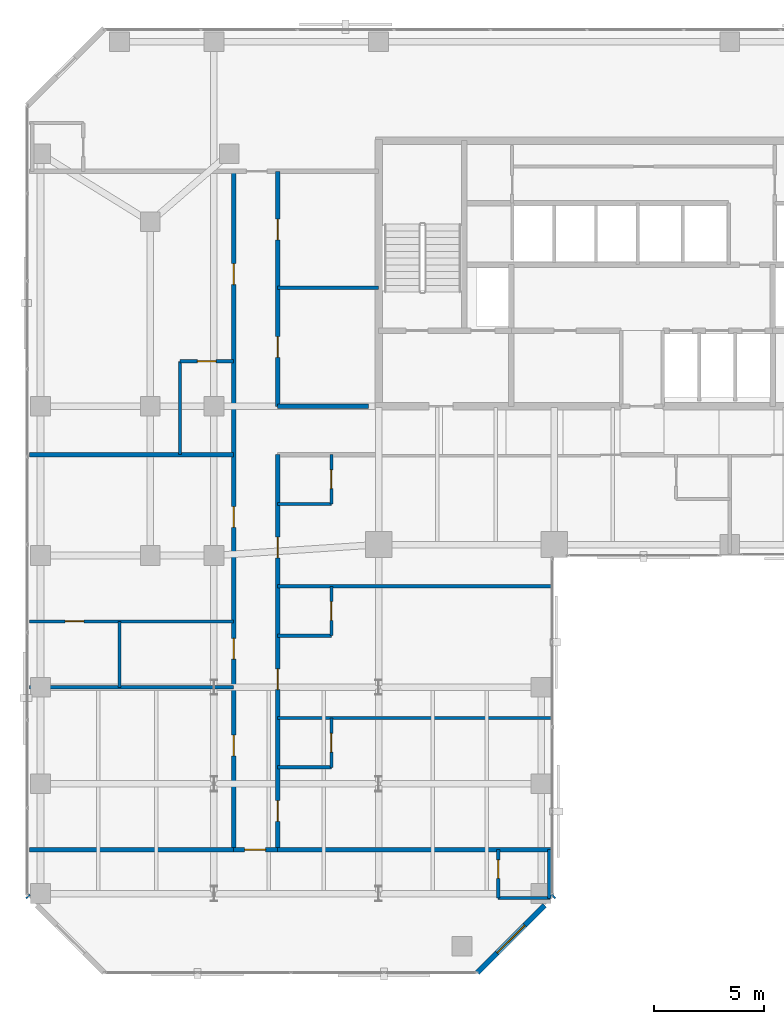
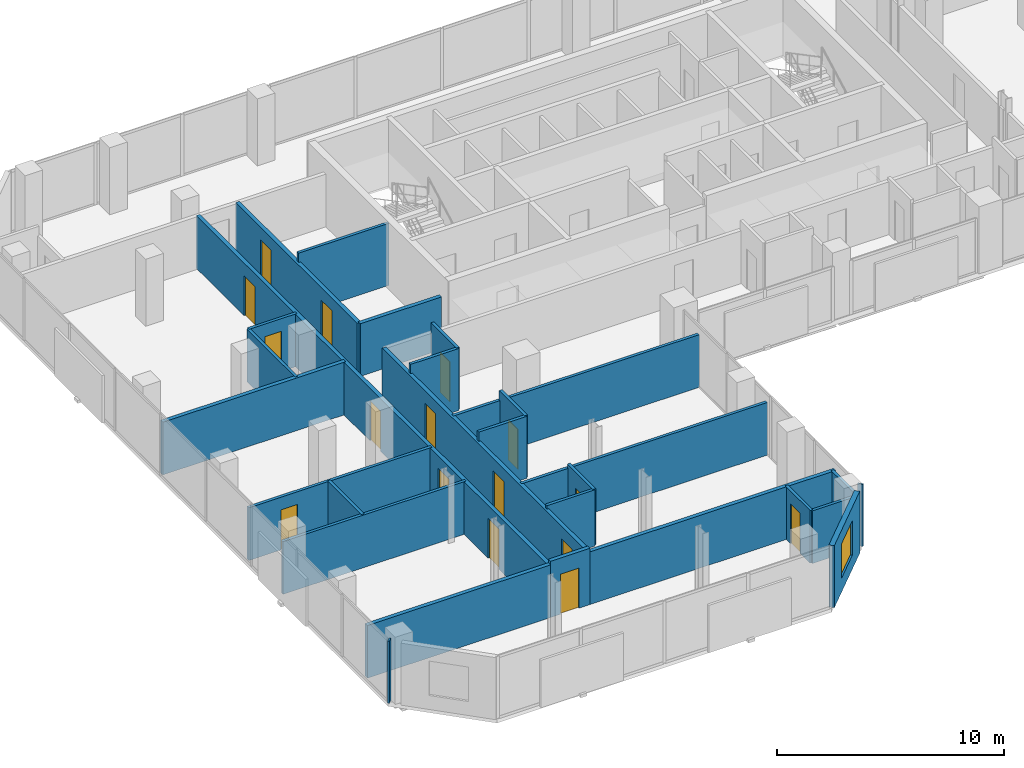
# One storey, part 28 of 34: 28 walls, 16 doors, 1 window, 17 openings.
"""IFC4 building model written with IfcOpenShell, lengths in metres."""

from ifc_helpers import new_model, si_unit, direction, frame, frame_2d, origin, place, context, subcontext, project, spatial, rectangle, extrude, material, layer, layer_set, type_object, element, fill, save


model = new_model("IFC4")

# Units and contexts
model_context = context("Model", 3, precision=1e-05, world=origin(), true_north=direction((0.0, 1.0)))
body_context = subcontext(model_context, "Body", "Model", "MODEL_VIEW")
ifc_project = project(units=[si_unit("LENGTHUNIT", "METRE"), si_unit("AREAUNIT", "SQUARE_METRE"), si_unit("VOLUMEUNIT", "CUBIC_METRE"), si_unit("PLANEANGLEUNIT", "RADIAN"), si_unit("MASSUNIT", "GRAM", prefix="KILO")], contexts=[model_context])

# Site, building, storey
site_placement = place(None, origin())
site = spatial("IfcSite", under=ifc_project, at=site_placement, CompositionType="ELEMENT")
building_placement = place(site_placement, origin())
building = spatial("IfcBuilding", under=site, at=building_placement, Name="Catumbela Crestline Tower", CompositionType="ELEMENT")
storey_placement = place(building_placement, frame((0.0, 0.0, 93.6)))
storey = spatial("IfcBuildingStorey", under=building, at=storey_placement, Name="L23", CompositionType="ELEMENT", Elevation=93.6)

# Walls
ifc_material_1 = material(Name="Acoustic gypsum and mineral-wool partition")
ifc_layer_1 = layer(ifc_material_1, 0.2, Name="Acoustic gypsum and mineral-wool partition")
ifc_layer_set_1 = layer_set([ifc_layer_1], Name="Acoustic gypsum and mineral-wool partition")
wall_type_1 = type_object("IfcWallType", Name="WC-200", PredefinedType="PARTITIONING", material=ifc_layer_set_1)
wall_1_placement = place(storey_placement, frame((0.1, 28.6, 0.0), z_axis=(0.0, 0.0, 1.0), x_axis=(1.0, 0.0, 0.0)))
element("IfcWall", 1, at=wall_1_placement, inside=storey, type_object=wall_type_1, Name="L23 Interior Partition PW-L23-Z2CW-N1", PredefinedType="PARTITIONING", context=body_context, shape_type="SweptSolid", body=[
    extrude(rectangle(XDim=9.3, YDim=0.2, at=frame_2d((4.65, 0.0))), origin(), (0.0, 0.0, 1.0), 2.83),
])
wall_2_placement = place(storey_placement, frame((11.4, 30.8, 0.0), z_axis=(0.0, 0.0, 1.0), x_axis=(1.0, 0.0, 0.0)))
element("IfcWall", 2, at=wall_2_placement, inside=storey, type_object=wall_type_1, Name="L23 Interior Partition PW-L23-Z2CW-N3", PredefinedType="PARTITIONING", context=body_context, shape_type="SweptSolid", body=[
    extrude(rectangle(XDim=4.13, YDim=0.2, at=frame_2d((2.065, 0.0))), origin(), (0.0, 0.0, 1.0), 2.83),
])

# Wall, openings, doors
wall_3_placement = place(storey_placement, frame((9.4, 10.6, 0.0), z_axis=(0.0, 0.0, 1.0), x_axis=(0.0, 1.0, 0.0)))
wall_3 = element("IfcWall", 3, at=wall_3_placement, inside=storey, type_object=wall_type_1, Name="L23 Interior Partition PW-L23-STWC-ENT", PredefinedType="PARTITIONING", context=body_context, shape_type="SweptSolid", body=[
    extrude(rectangle(XDim=30.9, YDim=0.2, at=frame_2d((15.45, 0.0))), origin(), (0.0, 0.0, 1.0), 2.83),
])
opening_1_placement = place(wall_3_placement, frame((8.6794, 0.0, 0.0)))
opening_1 = element("IfcOpeningElement", 4, at=opening_1_placement, cuts=wall_3, Name="Opening DF6-095", PredefinedType="OPENING", context=body_context, shape_type="SweptSolid", body=[
    extrude(rectangle(XDim=0.95, YDim=2.15, at=frame_2d((0.475, 1.075))), frame((0.0, 0.11, 0.0), z_axis=(0.0, -1.0, 0.0), x_axis=(1.0, 0.0, 0.0)), (0.0, 0.0, 1.0), 0.22),
])
opening_2_placement = place(wall_3_placement, frame((14.6795, 0.0, 0.0)))
opening_2 = element("IfcOpeningElement", 5, at=opening_2_placement, cuts=wall_3, Name="Opening DF6-095", PredefinedType="OPENING", context=body_context, shape_type="SweptSolid", body=[
    extrude(rectangle(XDim=0.95, YDim=2.15, at=frame_2d((0.475, 1.075))), frame((0.0, 0.11, 0.0), z_axis=(0.0, -1.0, 0.0), x_axis=(1.0, 0.0, 0.0)), (0.0, 0.0, 1.0), 0.22),
])
opening_3_placement = place(wall_3_placement, frame((4.2733, 0.0, 0.0)))
opening_3 = element("IfcOpeningElement", 6, at=opening_3_placement, cuts=wall_3, Name="Opening DF6-095", PredefinedType="OPENING", context=body_context, shape_type="SweptSolid", body=[
    extrude(rectangle(XDim=0.95, YDim=2.15, at=frame_2d((0.475, 1.075))), frame((0.0, 0.11, 0.0), z_axis=(0.0, -1.0, 0.0), x_axis=(1.0, 0.0, 0.0)), (0.0, 0.0, 1.0), 0.22),
])
opening_4_placement = place(wall_3_placement, frame((25.745, 0.0, 0.0)))
opening_4 = element("IfcOpeningElement", 7, at=opening_4_placement, cuts=wall_3, Name="Opening DF6-095", PredefinedType="OPENING", context=body_context, shape_type="SweptSolid", body=[
    extrude(rectangle(XDim=0.95, YDim=2.15, at=frame_2d((0.475, 1.075))), frame((0.0, 0.11, 0.0), z_axis=(0.0, -1.0, 0.0), x_axis=(1.0, 0.0, 0.0)), (0.0, 0.0, 1.0), 0.22),
])
ifc_material_2 = material(Name="Aluminium alloy AW-6060-T66", Category="aluminium")
door_type_1 = type_object("IfcDoorType", Name="DF6-095", OperationType="NOTDEFINED", PredefinedType="DOOR", material=ifc_material_2)
door_1_placement = place(opening_1_placement, origin())
door_1 = element("IfcDoor", 8, at=door_1_placement, inside=storey, type_object=door_type_1, Name="L23 Interior Door DR-L23-STWC-ENT", OperationType="SINGLE_SWING_RIGHT", OverallHeight=2.15, OverallWidth=0.95, PredefinedType="DOOR", context=body_context, shape_type="SweptSolid", body=[
    extrude(rectangle(XDim=0.95, YDim=2.15, at=frame_2d((0.475, 1.075))), frame((0.0, 0.025, 0.0), z_axis=(0.0, -1.0, 0.0), x_axis=(1.0, 0.0, 0.0)), (0.0, 0.0, 1.0), 0.05),
])
fill(opening_1, door_1)
door_2_placement = place(opening_2_placement, origin())
door_2 = element("IfcDoor", 9, at=door_2_placement, inside=storey, type_object=door_type_1, Name="L23 Interior Door DR-L23-HKP-ENT", OperationType="SINGLE_SWING_RIGHT", OverallHeight=2.15, OverallWidth=0.95, PredefinedType="DOOR", context=body_context, shape_type="SweptSolid", body=[
    extrude(rectangle(XDim=0.95, YDim=2.15, at=frame_2d((0.475, 1.075))), frame((0.0, 0.025, 0.0), z_axis=(0.0, -1.0, 0.0), x_axis=(1.0, 0.0, 0.0)), (0.0, 0.0, 1.0), 0.05),
])
fill(opening_2, door_2)
door_3_placement = place(opening_3_placement, origin())
door_3 = element("IfcDoor", 10, at=door_3_placement, inside=storey, type_object=door_type_1, Name="L23 Interior Door DR-L23-WEXT-ENT", OperationType="SINGLE_SWING_RIGHT", OverallHeight=2.15, OverallWidth=0.95, PredefinedType="DOOR", context=body_context, shape_type="SweptSolid", body=[
    extrude(rectangle(XDim=0.95, YDim=2.15, at=frame_2d((0.475, 1.075))), frame((0.0, 0.025, 0.0), z_axis=(0.0, -1.0, 0.0), x_axis=(1.0, 0.0, 0.0)), (0.0, 0.0, 1.0), 0.05),
])
fill(opening_3, door_3)
door_4_placement = place(opening_4_placement, origin())
door_4 = element("IfcDoor", 11, at=door_4_placement, inside=storey, type_object=door_type_1, Name="L23 Interior Door DR-L23-Z2NW1-ENT", OperationType="SINGLE_SWING_LEFT", OverallHeight=2.15, OverallWidth=0.95, PredefinedType="DOOR", context=body_context, shape_type="SweptSolid", body=[
    extrude(rectangle(XDim=0.95, YDim=2.15, at=frame_2d((0.475, 1.075))), frame((0.0, 0.025, 0.0), z_axis=(0.0, -1.0, 0.0), x_axis=(1.0, 0.0, 0.0)), (0.0, 0.0, 1.0), 0.05),
])
fill(opening_4, door_4)

wall_4_placement = place(storey_placement, frame((11.4, 30.8, 0.0), z_axis=(0.0, 0.0, 1.0), x_axis=(0.0, 1.0, 0.0)))
wall_4 = element("IfcWall", 12, at=wall_4_placement, inside=storey, type_object=wall_type_1, Name="L23 Interior Partition PW-L23-Z2NE1-ENT", PredefinedType="PARTITIONING", context=body_context, shape_type="SweptSolid", body=[
    extrude(rectangle(XDim=10.7, YDim=0.2, at=frame_2d((5.35, 0.0))), origin(), (0.0, 0.0, 1.0), 2.83),
])
opening_5_placement = place(wall_4_placement, frame((2.225, 0.0, 0.0)))
opening_5 = element("IfcOpeningElement", 13, at=opening_5_placement, cuts=wall_4, Name="Opening DF6-095", PredefinedType="OPENING", context=body_context, shape_type="SweptSolid", body=[
    extrude(rectangle(XDim=0.95, YDim=2.15, at=frame_2d((0.475, 1.075))), frame((0.0, 0.11, 0.0), z_axis=(0.0, -1.0, 0.0), x_axis=(1.0, 0.0, 0.0)), (0.0, 0.0, 1.0), 0.22),
])
opening_6_placement = place(wall_4_placement, frame((7.575, 0.0, 0.0)))
opening_6 = element("IfcOpeningElement", 14, at=opening_6_placement, cuts=wall_4, Name="Opening DF6-095", PredefinedType="OPENING", context=body_context, shape_type="SweptSolid", body=[
    extrude(rectangle(XDim=0.95, YDim=2.15, at=frame_2d((0.475, 1.075))), frame((0.0, 0.11, 0.0), z_axis=(0.0, -1.0, 0.0), x_axis=(1.0, 0.0, 0.0)), (0.0, 0.0, 1.0), 0.22),
])
door_5_placement = place(opening_5_placement, origin())
door_5 = element("IfcDoor", 15, at=door_5_placement, inside=storey, type_object=door_type_1, Name="L23 Interior Door DR-L23-Z2NE1-ENT", OperationType="SINGLE_SWING_LEFT", OverallHeight=2.15, OverallWidth=0.95, PredefinedType="DOOR", context=body_context, shape_type="SweptSolid", body=[
    extrude(rectangle(XDim=0.95, YDim=2.15, at=frame_2d((0.475, 1.075))), frame((0.0, 0.025, 0.0), z_axis=(0.0, -1.0, 0.0), x_axis=(1.0, 0.0, 0.0)), (0.0, 0.0, 1.0), 0.05),
])
fill(opening_5, door_5)
door_6_placement = place(opening_6_placement, origin())
door_6 = element("IfcDoor", 16, at=door_6_placement, inside=storey, type_object=door_type_1, Name="L23 Interior Door DR-L23-Z2NE2-ENT", OperationType="SINGLE_SWING_RIGHT", OverallHeight=2.15, OverallWidth=0.95, PredefinedType="DOOR", context=body_context, shape_type="SweptSolid", body=[
    extrude(rectangle(XDim=0.95, YDim=2.15, at=frame_2d((0.475, 1.075))), frame((0.0, 0.025, 0.0), z_axis=(0.0, -1.0, 0.0), x_axis=(1.0, 0.0, 0.0)), (0.0, 0.0, 1.0), 0.05),
])
fill(opening_6, door_6)

# Wall, opening, door
wall_5_placement = place(storey_placement, frame((9.4, 10.6, 0.0), z_axis=(0.0, 0.0, 1.0), x_axis=(1.0, 0.0, 0.0)))
wall_5 = element("IfcWall", 17, at=wall_5_placement, inside=storey, type_object=wall_type_1, Name="L23 Interior Partition PW-L23-STIP-ENT", PredefinedType="PARTITIONING", context=body_context, shape_type="SweptSolid", body=[
    extrude(rectangle(XDim=2.0, YDim=0.2, at=frame_2d((1.0, 0.0))), origin(), (0.0, 0.0, 1.0), 3.02),
])
opening_7_placement = place(wall_5_placement, frame((0.5025, 0.0, 0.0)))
opening_7 = element("IfcOpeningElement", 18, at=opening_7_placement, cuts=wall_5, Name="Opening DF6-095", PredefinedType="OPENING", context=body_context, shape_type="SweptSolid", body=[
    extrude(rectangle(XDim=0.95, YDim=2.15, at=frame_2d((0.475, 1.075))), frame((0.0, 0.11, 0.0), z_axis=(0.0, -1.0, 0.0), x_axis=(1.0, 0.0, 0.0)), (0.0, 0.0, 1.0), 0.22),
])
door_7_placement = place(opening_7_placement, origin())
door_7 = element("IfcDoor", 19, at=door_7_placement, inside=storey, type_object=door_type_1, Name="L23 Interior Door DR-L23-STIP-ENT", OperationType="SINGLE_SWING_LEFT", OverallHeight=2.15, OverallWidth=0.95, PredefinedType="DOOR", context=body_context, shape_type="SweptSolid", body=[
    extrude(rectangle(XDim=0.95, YDim=2.15, at=frame_2d((0.475, 1.075))), frame((0.0, 0.025, 0.0), z_axis=(0.0, -1.0, 0.0), x_axis=(1.0, 0.0, 0.0)), (0.0, 0.0, 1.0), 0.05),
])
fill(opening_7, door_7)

# Wall, openings, doors
wall_6_placement = place(storey_placement, frame((11.4, 10.6, 0.0), z_axis=(0.0, 0.0, 1.0), x_axis=(0.0, 1.0, 0.0)))
wall_6 = element("IfcWall", 20, at=wall_6_placement, inside=storey, type_object=wall_type_1, Name="L23 Interior Partition PW-L23-SW1-ENT", PredefinedType="PARTITIONING", context=body_context, shape_type="SweptSolid", body=[
    extrude(rectangle(XDim=18.0, YDim=0.2, at=frame_2d((9.0, 0.0))), origin(), (0.0, 0.0, 1.0), 2.83),
])
opening_8_placement = place(wall_6_placement, frame((1.29, 0.0, 0.0)))
opening_8 = element("IfcOpeningElement", 21, at=opening_8_placement, cuts=wall_6, Name="Opening DF6-095", PredefinedType="OPENING", context=body_context, shape_type="SweptSolid", body=[
    extrude(rectangle(XDim=0.95, YDim=2.15, at=frame_2d((0.475, 1.075))), frame((0.0, 0.11, 0.0), z_axis=(0.0, -1.0, 0.0), x_axis=(1.0, 0.0, 0.0)), (0.0, 0.0, 1.0), 0.22),
])
opening_9_placement = place(wall_6_placement, frame((7.29, 0.0, 0.0)))
opening_9 = element("IfcOpeningElement", 22, at=opening_9_placement, cuts=wall_6, Name="Opening DF6-095", PredefinedType="OPENING", context=body_context, shape_type="SweptSolid", body=[
    extrude(rectangle(XDim=0.95, YDim=2.15, at=frame_2d((0.475, 1.075))), frame((0.0, 0.11, 0.0), z_axis=(0.0, -1.0, 0.0), x_axis=(1.0, 0.0, 0.0)), (0.0, 0.0, 1.0), 0.22),
])
opening_10_placement = place(wall_6_placement, frame((13.29, 0.0, 0.0)))
opening_10 = element("IfcOpeningElement", 23, at=opening_10_placement, cuts=wall_6, Name="Opening DF6-095", PredefinedType="OPENING", context=body_context, shape_type="SweptSolid", body=[
    extrude(rectangle(XDim=0.95, YDim=2.15, at=frame_2d((0.475, 1.075))), frame((0.0, 0.11, 0.0), z_axis=(0.0, -1.0, 0.0), x_axis=(1.0, 0.0, 0.0)), (0.0, 0.0, 1.0), 0.22),
])
door_8_placement = place(opening_8_placement, origin())
door_8 = element("IfcDoor", 24, at=door_8_placement, inside=storey, type_object=door_type_1, Name="L23 Interior Door DR-L23-SW1-ENT", OperationType="SINGLE_SWING_RIGHT", OverallHeight=2.15, OverallWidth=0.95, PredefinedType="DOOR", context=body_context, shape_type="SweptSolid", body=[
    extrude(rectangle(XDim=0.95, YDim=2.15, at=frame_2d((0.475, 1.075))), frame((0.0, 0.025, 0.0), z_axis=(0.0, -1.0, 0.0), x_axis=(1.0, 0.0, 0.0)), (0.0, 0.0, 1.0), 0.05),
])
fill(opening_8, door_8)
door_9_placement = place(opening_9_placement, origin())
door_9 = element("IfcDoor", 25, at=door_9_placement, inside=storey, type_object=door_type_1, Name="L23 Interior Door DR-L23-SW2-ENT", OperationType="SINGLE_SWING_LEFT", OverallHeight=2.15, OverallWidth=0.95, PredefinedType="DOOR", context=body_context, shape_type="SweptSolid", body=[
    extrude(rectangle(XDim=0.95, YDim=2.15, at=frame_2d((0.475, 1.075))), frame((0.0, 0.025, 0.0), z_axis=(0.0, -1.0, 0.0), x_axis=(1.0, 0.0, 0.0)), (0.0, 0.0, 1.0), 0.05),
])
fill(opening_9, door_9)
door_10_placement = place(opening_10_placement, origin())
door_10 = element("IfcDoor", 26, at=door_10_placement, inside=storey, type_object=door_type_1, Name="L23 Interior Door DR-L23-SW3-ENT", OperationType="SINGLE_SWING_RIGHT", OverallHeight=2.15, OverallWidth=0.95, PredefinedType="DOOR", context=body_context, shape_type="SweptSolid", body=[
    extrude(rectangle(XDim=0.95, YDim=2.15, at=frame_2d((0.475, 1.075))), frame((0.0, 0.025, 0.0), z_axis=(0.0, -1.0, 0.0), x_axis=(1.0, 0.0, 0.0)), (0.0, 0.0, 1.0), 0.05),
])
fill(opening_10, door_10)

# Wall, opening, window
ifc_material_3 = material(Name="Angolan grey-ochre granite", Category="masonry")
ifc_layer_2 = layer(ifc_material_3, 0.25, Name="Angolan grey-ochre granite")
ifc_layer_set_2 = layer_set([ifc_layer_2], Name="Angolan grey-ochre granite")
wall_type_2 = type_object("IfcWallType", Name="WE-250", PredefinedType="STANDARD", material=ifc_layer_set_2)
wall_7_placement = place(storey_placement, frame((20.5, 5.0, 0.0), z_axis=(0.0, 0.0, 1.0), x_axis=(0.707106781187, 0.707106781187, 0.0)))
wall_7 = element("IfcWall", 27, at=wall_7_placement, inside=storey, type_object=wall_type_2, Name="L23 Granite Punched Window Wall 1-1", PredefinedType="STANDARD", context=body_context, shape_type="SweptSolid", body=[
    extrude(rectangle(XDim=4.3298, YDim=0.25, at=frame_2d((2.1649, 0.0))), origin(), (0.0, 0.0, 1.0), 3.33),
])
opening_11_placement = place(wall_7_placement, frame((1.2649, 0.0, 0.75)))
opening_11 = element("IfcOpeningElement", 28, at=opening_11_placement, cuts=wall_7, Name="Opening WN-01", PredefinedType="OPENING", context=body_context, shape_type="SweptSolid", body=[
    extrude(rectangle(XDim=1.8, YDim=1.85, at=frame_2d((0.9, 0.925))), frame((0.0, 0.135, 0.0), z_axis=(0.0, -1.0, 0.0), x_axis=(1.0, 0.0, 0.0)), (0.0, 0.0, 1.0), 0.27),
])
ifc_material_4 = material(Name="Low-E laminated solar-control double glazing", Category="glass")
window_type = type_object("IfcWindowType", Name="WF-1800", PartitioningType="SINGLE_PANEL", PredefinedType="WINDOW", material=ifc_material_4)
window_placement = place(opening_11_placement, origin())
window = element("IfcWindow", 29, at=window_placement, inside=storey, type_object=window_type, Name="L23 Facade Vision Window 135", OverallHeight=1.85, OverallWidth=1.8, PartitioningType="SINGLE_PANEL", PredefinedType="WINDOW", context=body_context, shape_type="SweptSolid", body=[
    extrude(rectangle(XDim=1.8, YDim=1.85, at=frame_2d((0.9, 0.925))), frame((0.0, 0.03, 0.0), z_axis=(0.0, -1.0, 0.0), x_axis=(1.0, 0.0, 0.0)), (0.0, 0.0, 1.0), 0.06),
])
fill(opening_11, window)

# Walls
for number, where, z_axis, x_axis, name in (
    (30, (23.9384, 8.4384, 0.0), (0.0, 0.0, 1.0), (0.707106781187, 0.707106781187, 0.0), "L23 Granite Punched Window Wall 1-2"),
    (31, (0.0, 8.5, 0.0), (0.0, 0.0, 1.0), (0.707106781187, -0.707106781187, 0.0), "L23 Granite Punched Window Wall 10-1"),
):
    element("IfcWall", number, at=place(storey_placement, frame(where, z_axis=z_axis, x_axis=x_axis)), inside=storey, type_object=wall_type_2, Name=name, PredefinedType="STANDARD", context=body_context, shape_type="SweptSolid", body=[
        extrude(rectangle(XDim=0.0871, YDim=0.25, at=frame_2d((0.0436, 0.0))), origin(), (0.0, 0.0, 1.0), 3.33),
    ])
ifc_layer_3 = layer(ifc_material_1, 0.15, Name="Acoustic gypsum and mineral-wool partition")
ifc_layer_set_3 = layer_set([ifc_layer_3], Name="Acoustic gypsum and mineral-wool partition")
wall_type_3 = type_object("IfcWallType", Name="WP-150", PredefinedType="PARTITIONING", material=ifc_layer_set_3)
wall_8_placement = place(storey_placement, frame((0.1, 18.0, 0.0), z_axis=(0.0, 0.0, 1.0), x_axis=(1.0, 0.0, 0.0)))
element("IfcWall", 32, at=wall_8_placement, inside=storey, type_object=wall_type_3, Name="L23 Interior Partition PW-L23-Z2W-1", PredefinedType="PARTITIONING", context=body_context, shape_type="SweptSolid", body=[
    extrude(rectangle(XDim=9.3, YDim=0.15, at=frame_2d((4.65, 0.0))), origin(), (0.0, 0.0, 1.0), 2.83),
])

# Wall, opening, door
wall_9_placement = place(storey_placement, frame((0.1, 21.0, 0.0), z_axis=(0.0, 0.0, 1.0), x_axis=(1.0, 0.0, 0.0)))
wall_9 = element("IfcWall", 33, at=wall_9_placement, inside=storey, type_object=wall_type_3, Name="L23 Interior Partition PW-L23-Z2W-2", PredefinedType="PARTITIONING", context=body_context, shape_type="SweptSolid", body=[
    extrude(rectangle(XDim=9.3, YDim=0.15, at=frame_2d((4.65, 0.0))), origin(), (0.0, 0.0, 1.0), 2.83),
])
opening_12_placement = place(wall_9_placement, frame((1.625, 0.0, 0.0)))
opening_12 = element("IfcOpeningElement", 34, at=opening_12_placement, cuts=wall_9, Name="Opening DI-085", PredefinedType="OPENING", context=body_context, shape_type="SweptSolid", body=[
    extrude(rectangle(XDim=0.85, YDim=2.15, at=frame_2d((0.425, 1.075))), frame((0.0, 0.085, 0.0), z_axis=(0.0, -1.0, 0.0), x_axis=(1.0, 0.0, 0.0)), (0.0, 0.0, 1.0), 0.17),
])
door_type_2 = type_object("IfcDoorType", Name="DI-085", OperationType="NOTDEFINED", PredefinedType="DOOR", material=ifc_material_2)
door_11_placement = place(opening_12_placement, origin())
door_11 = element("IfcDoor", 35, at=door_11_placement, inside=storey, type_object=door_type_2, Name="L23 Interior Door DR-L23-STSTO", OperationType="SINGLE_SWING_LEFT", OverallHeight=2.15, OverallWidth=0.85, PredefinedType="DOOR", context=body_context, shape_type="SweptSolid", body=[
    extrude(rectangle(XDim=0.85, YDim=2.15, at=frame_2d((0.425, 1.075))), frame((0.0, 0.025, 0.0), z_axis=(0.0, -1.0, 0.0), x_axis=(1.0, 0.0, 0.0)), (0.0, 0.0, 1.0), 0.05),
])
fill(opening_12, door_11)

# Walls
wall_10_placement = place(storey_placement, frame((4.2, 18.0, 0.0), z_axis=(0.0, 0.0, 1.0), x_axis=(0.0, 1.0, 0.0)))
element("IfcWall", 36, at=wall_10_placement, inside=storey, type_object=wall_type_3, Name="L23 Interior Partition PW-L23-Z2W-WCX", PredefinedType="PARTITIONING", context=body_context, shape_type="SweptSolid", body=[
    extrude(rectangle(XDim=3.0, YDim=0.15, at=frame_2d((1.5, 0.0))), origin(), (0.0, 0.0, 1.0), 2.83),
])
wall_11_placement = place(storey_placement, frame((6.95, 28.6, 0.0), z_axis=(0.0, 0.0, 1.0), x_axis=(0.0, 1.0, 0.0)))
element("IfcWall", 37, at=wall_11_placement, inside=storey, type_object=wall_type_3, Name="L23 Interior Partition PW-L23-Z2NW1-BWW", PredefinedType="PARTITIONING", context=body_context, shape_type="SweptSolid", body=[
    extrude(rectangle(XDim=4.25, YDim=0.15, at=frame_2d((2.125, 0.0))), origin(), (0.0, 0.0, 1.0), 2.83),
])

# Wall, opening, door
wall_12_placement = place(storey_placement, frame((6.95, 32.85, 0.0), z_axis=(0.0, 0.0, 1.0), x_axis=(1.0, 0.0, 0.0)))
wall_12 = element("IfcWall", 38, at=wall_12_placement, inside=storey, type_object=wall_type_3, Name="L23 Interior Partition PW-L23-Z2NW1-BNW", PredefinedType="PARTITIONING", context=body_context, shape_type="SweptSolid", body=[
    extrude(rectangle(XDim=2.45, YDim=0.15, at=frame_2d((1.225, 0.0))), origin(), (0.0, 0.0, 1.0), 2.83),
])
opening_13_placement = place(wall_12_placement, frame((0.8, 0.0, 0.0)))
opening_13 = element("IfcOpeningElement", 39, at=opening_13_placement, cuts=wall_12, Name="Opening DI-085", PredefinedType="OPENING", context=body_context, shape_type="SweptSolid", body=[
    extrude(rectangle(XDim=0.85, YDim=2.15, at=frame_2d((0.425, 1.075))), frame((0.0, 0.085, 0.0), z_axis=(0.0, -1.0, 0.0), x_axis=(1.0, 0.0, 0.0)), (0.0, 0.0, 1.0), 0.17),
])
door_12_placement = place(opening_13_placement, origin())
door_12 = element("IfcDoor", 40, at=door_12_placement, inside=storey, type_object=door_type_2, Name="L23 Interior Door DR-L23-Z2NW1-BTH", OperationType="SINGLE_SWING_RIGHT", OverallHeight=2.15, OverallWidth=0.85, PredefinedType="DOOR", context=body_context, shape_type="SweptSolid", body=[
    extrude(rectangle(XDim=0.85, YDim=2.15, at=frame_2d((0.425, 1.075))), frame((0.0, 0.025, 0.0), z_axis=(0.0, -1.0, 0.0), x_axis=(1.0, 0.0, 0.0)), (0.0, 0.0, 1.0), 0.05),
])
fill(opening_13, door_12)

# Walls
wall_13_placement = place(storey_placement, frame((11.4, 36.2, 0.0), z_axis=(0.0, 0.0, 1.0), x_axis=(1.0, 0.0, 0.0)))
element("IfcWall", 41, at=wall_13_placement, inside=storey, type_object=wall_type_3, Name="L23 Interior Partition PW-L23-Z2G0-M", PredefinedType="PARTITIONING", context=body_context, shape_type="SweptSolid", body=[
    extrude(rectangle(XDim=4.6, YDim=0.15, at=frame_2d((2.3, 0.0))), origin(), (0.0, 0.0, 1.0), 3.33),
])
wall_14_placement = place(storey_placement, frame((21.45, 8.4, 0.0), z_axis=(0.0, 0.0, 1.0), x_axis=(1.0, 0.0, 0.0)))
element("IfcWall", 42, at=wall_14_placement, inside=storey, type_object=wall_type_3, Name="L23 Interior Partition PW-L23-STIP-BHW", PredefinedType="PARTITIONING", context=body_context, shape_type="SweptSolid", body=[
    extrude(rectangle(XDim=2.35, YDim=0.15, at=frame_2d((1.175, 0.0))), origin(), (0.0, 0.0, 1.0), 2.83),
])

# Wall, opening, door
wall_15_placement = place(storey_placement, frame((21.45, 8.4, 0.0), z_axis=(0.0, 0.0, 1.0), x_axis=(0.0, 1.0, 0.0)))
wall_15 = element("IfcWall", 43, at=wall_15_placement, inside=storey, type_object=wall_type_3, Name="L23 Interior Partition PW-L23-STIP-BWW", PredefinedType="PARTITIONING", context=body_context, shape_type="SweptSolid", body=[
    extrude(rectangle(XDim=2.2, YDim=0.15, at=frame_2d((1.1, 0.0))), origin(), (0.0, 0.0, 1.0), 2.83),
])
opening_14_placement = place(wall_15_placement, frame((0.8925, 0.0, 0.0)))
opening_14 = element("IfcOpeningElement", 44, at=opening_14_placement, cuts=wall_15, Name="Opening DI-085", PredefinedType="OPENING", context=body_context, shape_type="SweptSolid", body=[
    extrude(rectangle(XDim=0.85, YDim=2.15, at=frame_2d((0.425, 1.075))), frame((0.0, 0.085, 0.0), z_axis=(0.0, -1.0, 0.0), x_axis=(1.0, 0.0, 0.0)), (0.0, 0.0, 1.0), 0.17),
])
door_13_placement = place(opening_14_placement, origin())
door_13 = element("IfcDoor", 45, at=door_13_placement, inside=storey, type_object=door_type_2, Name="L23 Interior Door DR-L23-STIP-BTH", OperationType="SINGLE_SWING_RIGHT", OverallHeight=2.15, OverallWidth=0.85, PredefinedType="DOOR", context=body_context, shape_type="SweptSolid", body=[
    extrude(rectangle(XDim=0.85, YDim=2.15, at=frame_2d((0.425, 1.075))), frame((0.0, 0.025, 0.0), z_axis=(0.0, -1.0, 0.0), x_axis=(1.0, 0.0, 0.0)), (0.0, 0.0, 1.0), 0.05),
])
fill(opening_14, door_13)

# Walls
wall_16_placement = place(storey_placement, frame((23.78, 10.6, 0.0), z_axis=(0.0, 0.0, 1.0), x_axis=(0.0, -1.0, 0.0)))
element("IfcWall", 46, at=wall_16_placement, inside=storey, type_object=wall_type_3, Name="L23 Interior Partition PW-L23-STIP-BCL-2", PredefinedType="PARTITIONING", context=body_context, shape_type="SweptSolid", body=[
    extrude(rectangle(XDim=2.22, YDim=0.15, at=frame_2d((1.11, 0.0))), origin(), (0.0, 0.0, 1.0), 2.83),
])
wall_17_placement = place(storey_placement, frame((11.4, 14.35, 0.0), z_axis=(0.0, 0.0, 1.0), x_axis=(1.0, 0.0, 0.0)))
element("IfcWall", 47, at=wall_17_placement, inside=storey, type_object=wall_type_3, Name="L23 Interior Partition PW-L23-SW1-BSW", PredefinedType="PARTITIONING", context=body_context, shape_type="SweptSolid", body=[
    extrude(rectangle(XDim=2.45, YDim=0.15, at=frame_2d((1.225, 0.0))), origin(), (0.0, 0.0, 1.0), 3.02),
])

# Wall, opening, door
wall_18_placement = place(storey_placement, frame((13.85, 14.35, 0.0), z_axis=(0.0, 0.0, 1.0), x_axis=(0.0, 1.0, 0.0)))
wall_18 = element("IfcWall", 48, at=wall_18_placement, inside=storey, type_object=wall_type_3, Name="L23 Interior Partition PW-L23-SW1-BEW", PredefinedType="PARTITIONING", context=body_context, shape_type="SweptSolid", body=[
    extrude(rectangle(XDim=2.25, YDim=0.15, at=frame_2d((1.125, 0.0))), origin(), (0.0, 0.0, 1.0), 3.02),
])
opening_15_placement = place(wall_18_placement, frame((0.7, 0.0, 0.0)))
opening_15 = element("IfcOpeningElement", 49, at=opening_15_placement, cuts=wall_18, Name="Opening DI-085", PredefinedType="OPENING", context=body_context, shape_type="SweptSolid", body=[
    extrude(rectangle(XDim=0.85, YDim=2.15, at=frame_2d((0.425, 1.075))), frame((0.0, 0.085, 0.0), z_axis=(0.0, -1.0, 0.0), x_axis=(1.0, 0.0, 0.0)), (0.0, 0.0, 1.0), 0.17),
])
door_14_placement = place(opening_15_placement, origin())
door_14 = element("IfcDoor", 50, at=door_14_placement, inside=storey, type_object=door_type_2, Name="L23 Interior Door DR-L23-SW1-BTH", OperationType="SINGLE_SWING_LEFT", OverallHeight=2.15, OverallWidth=0.85, PredefinedType="DOOR", context=body_context, shape_type="SweptSolid", body=[
    extrude(rectangle(XDim=0.85, YDim=2.15, at=frame_2d((0.425, 1.075))), frame((0.0, 0.025, 0.0), z_axis=(0.0, -1.0, 0.0), x_axis=(1.0, 0.0, 0.0)), (0.0, 0.0, 1.0), 0.05),
])
fill(opening_15, door_14)

# Walls
wall_19_placement = place(storey_placement, frame((11.4, 16.6, 0.0), z_axis=(0.0, 0.0, 1.0), x_axis=(1.0, 0.0, 0.0)))
element("IfcWall", 51, at=wall_19_placement, inside=storey, type_object=wall_type_3, Name="L23 Interior Partition PW-L23-SW1-BCL-1", PredefinedType="PARTITIONING", context=body_context, shape_type="SweptSolid", body=[
    extrude(rectangle(XDim=12.5, YDim=0.15, at=frame_2d((6.25, 0.0))), origin(), (0.0, 0.0, 1.0), 2.83),
])
wall_20_placement = place(storey_placement, frame((11.4, 20.35, 0.0), z_axis=(0.0, 0.0, 1.0), x_axis=(1.0, 0.0, 0.0)))
element("IfcWall", 52, at=wall_20_placement, inside=storey, type_object=wall_type_3, Name="L23 Interior Partition PW-L23-SW2-BSW", PredefinedType="PARTITIONING", context=body_context, shape_type="SweptSolid", body=[
    extrude(rectangle(XDim=2.45, YDim=0.15, at=frame_2d((1.225, 0.0))), origin(), (0.0, 0.0, 1.0), 3.33),
])

# Wall, opening, door
wall_21_placement = place(storey_placement, frame((13.85, 20.35, 0.0), z_axis=(0.0, 0.0, 1.0), x_axis=(0.0, 1.0, 0.0)))
wall_21 = element("IfcWall", 53, at=wall_21_placement, inside=storey, type_object=wall_type_3, Name="L23 Interior Partition PW-L23-SW2-BEW", PredefinedType="PARTITIONING", context=body_context, shape_type="SweptSolid", body=[
    extrude(rectangle(XDim=2.25, YDim=0.15, at=frame_2d((1.125, 0.0))), origin(), (0.0, 0.0, 1.0), 3.33),
])
opening_16_placement = place(wall_21_placement, frame((0.7, 0.0, 0.0)))
opening_16 = element("IfcOpeningElement", 54, at=opening_16_placement, cuts=wall_21, Name="Opening DI-085", PredefinedType="OPENING", context=body_context, shape_type="SweptSolid", body=[
    extrude(rectangle(XDim=0.85, YDim=2.15, at=frame_2d((0.425, 1.075))), frame((0.0, 0.085, 0.0), z_axis=(0.0, -1.0, 0.0), x_axis=(1.0, 0.0, 0.0)), (0.0, 0.0, 1.0), 0.17),
])
door_15_placement = place(opening_16_placement, origin())
door_15 = element("IfcDoor", 55, at=door_15_placement, inside=storey, type_object=door_type_2, Name="L23 Interior Door DR-L23-SW2-BTH", OperationType="SINGLE_SWING_LEFT", OverallHeight=2.15, OverallWidth=0.85, PredefinedType="DOOR", context=body_context, shape_type="SweptSolid", body=[
    extrude(rectangle(XDim=0.85, YDim=2.15, at=frame_2d((0.425, 1.075))), frame((0.0, 0.025, 0.0), z_axis=(0.0, -1.0, 0.0), x_axis=(1.0, 0.0, 0.0)), (0.0, 0.0, 1.0), 0.05),
])
fill(opening_16, door_15)

# Walls
wall_22_placement = place(storey_placement, frame((11.4, 22.6, 0.0), z_axis=(0.0, 0.0, 1.0), x_axis=(1.0, 0.0, 0.0)))
element("IfcWall", 56, at=wall_22_placement, inside=storey, type_object=wall_type_3, Name="L23 Interior Partition PW-L23-SW2-BCL-1", PredefinedType="PARTITIONING", context=body_context, shape_type="SweptSolid", body=[
    extrude(rectangle(XDim=12.5, YDim=0.15, at=frame_2d((6.25, 0.0))), origin(), (0.0, 0.0, 1.0), 2.83),
])
wall_23_placement = place(storey_placement, frame((11.4, 26.35, 0.0), z_axis=(0.0, 0.0, 1.0), x_axis=(1.0, 0.0, 0.0)))
element("IfcWall", 57, at=wall_23_placement, inside=storey, type_object=wall_type_3, Name="L23 Interior Partition PW-L23-SW3-BSW", PredefinedType="PARTITIONING", context=body_context, shape_type="SweptSolid", body=[
    extrude(rectangle(XDim=2.45, YDim=0.15, at=frame_2d((1.225, 0.0))), origin(), (0.0, 0.0, 1.0), 3.33),
])

# Wall, opening, door
wall_24_placement = place(storey_placement, frame((13.85, 26.35, 0.0), z_axis=(0.0, 0.0, 1.0), x_axis=(0.0, 1.0, 0.0)))
wall_24 = element("IfcWall", 58, at=wall_24_placement, inside=storey, type_object=wall_type_3, Name="L23 Interior Partition PW-L23-SW3-BEW", PredefinedType="PARTITIONING", context=body_context, shape_type="SweptSolid", body=[
    extrude(rectangle(XDim=2.25, YDim=0.15, at=frame_2d((1.125, 0.0))), origin(), (0.0, 0.0, 1.0), 3.33),
])
opening_17_placement = place(wall_24_placement, frame((0.7, 0.0, 0.0)))
opening_17 = element("IfcOpeningElement", 59, at=opening_17_placement, cuts=wall_24, Name="Opening DI-085", PredefinedType="OPENING", context=body_context, shape_type="SweptSolid", body=[
    extrude(rectangle(XDim=0.85, YDim=2.15, at=frame_2d((0.425, 1.075))), frame((0.0, 0.085, 0.0), z_axis=(0.0, -1.0, 0.0), x_axis=(1.0, 0.0, 0.0)), (0.0, 0.0, 1.0), 0.17),
])
door_16_placement = place(opening_17_placement, origin())
door_16 = element("IfcDoor", 60, at=door_16_placement, inside=storey, type_object=door_type_2, Name="L23 Interior Door DR-L23-SW3-BTH", OperationType="SINGLE_SWING_LEFT", OverallHeight=2.15, OverallWidth=0.85, PredefinedType="DOOR", context=body_context, shape_type="SweptSolid", body=[
    extrude(rectangle(XDim=0.85, YDim=2.15, at=frame_2d((0.425, 1.075))), frame((0.0, 0.025, 0.0), z_axis=(0.0, -1.0, 0.0), x_axis=(1.0, 0.0, 0.0)), (0.0, 0.0, 1.0), 0.05),
])
fill(opening_17, door_16)

# Walls
ifc_layer_4 = layer(ifc_material_1, 0.2, Name="Acoustic gypsum and mineral-wool partition")
ifc_layer_set_4 = layer_set([ifc_layer_4], Name="Acoustic gypsum and mineral-wool partition")
wall_type_4 = type_object("IfcWallType", Name="WY-200", PredefinedType="PARTITIONING", material=ifc_layer_set_4)
wall_25_placement = place(storey_placement, frame((0.1, 10.6, 0.0), z_axis=(0.0, 0.0, 1.0), x_axis=(1.0, 0.0, 0.0)))
element("IfcWall", 61, at=wall_25_placement, inside=storey, type_object=wall_type_4, Name="L23 Interior Partition PW-L23-STIP-WL", PredefinedType="PARTITIONING", context=body_context, shape_type="SweptSolid", body=[
    extrude(rectangle(XDim=9.3, YDim=0.2, at=frame_2d((4.65, 0.0))), origin(), (0.0, 0.0, 1.0), 2.83),
])
wall_26_placement = place(storey_placement, frame((11.4, 10.6, 0.0), z_axis=(0.0, 0.0, 1.0), x_axis=(1.0, 0.0, 0.0)))
element("IfcWall", 62, at=wall_26_placement, inside=storey, type_object=wall_type_4, Name="L23 Interior Partition PW-L23-STIP-WR", PredefinedType="PARTITIONING", context=body_context, shape_type="SweptSolid", body=[
    extrude(rectangle(XDim=12.5, YDim=0.2, at=frame_2d((6.25, 0.0))), origin(), (0.0, 0.0, 1.0), 2.83),
])

save(model, "model.ifc")
